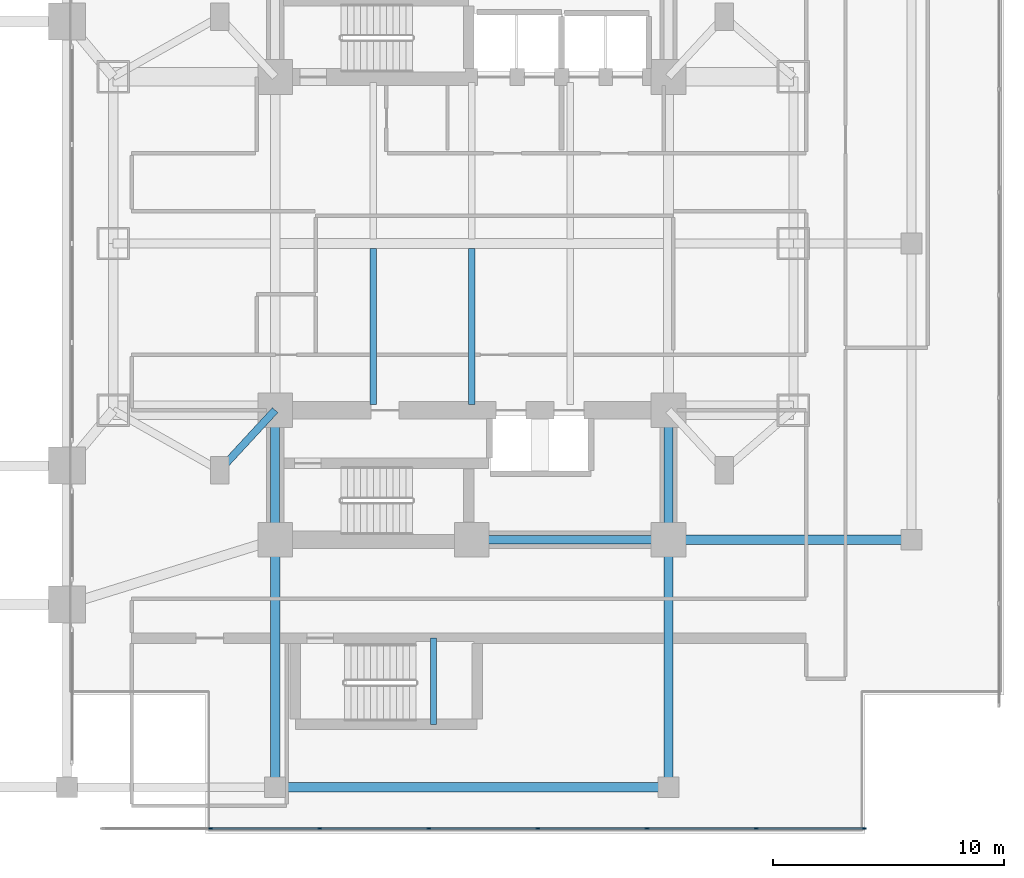
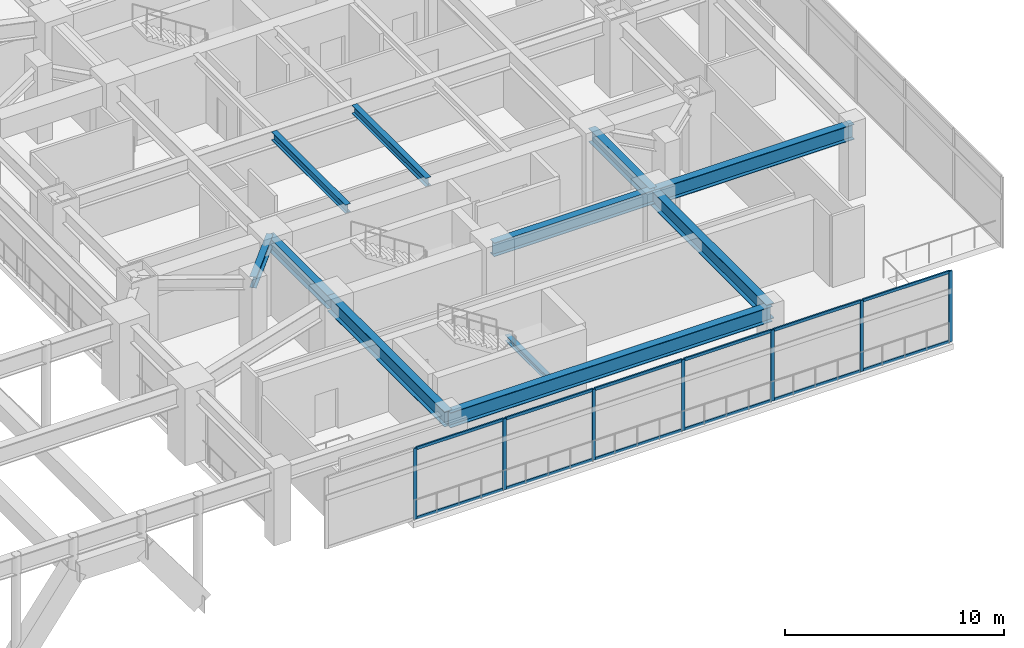
# One storey, part 9 of 30: 19 members, 11 beams, 1 element without a shape of its own.
"""IFC4 building model written with IfcOpenShell, lengths in metres."""

from ifc_helpers import new_model, si_unit, direction, frame, origin, origin_2d, place, context, subcontext, project, spatial, rectangle, i_section, extrude, material, material_profile, profile_set, type_object, element, aggregate, save


model = new_model("IFC4")

# Units and contexts
model_context = context("Model", 3, precision=1e-05, world=origin(), true_north=direction((0.0, 1.0)))
body_context = subcontext(model_context, "Body", "Model", "MODEL_VIEW")
ifc_project = project(units=[si_unit("LENGTHUNIT", "METRE"), si_unit("AREAUNIT", "SQUARE_METRE"), si_unit("VOLUMEUNIT", "CUBIC_METRE"), si_unit("PLANEANGLEUNIT", "RADIAN"), si_unit("MASSUNIT", "GRAM", prefix="KILO")], contexts=[model_context])

# Site, building, storey
site_placement = place(None, origin())
site = spatial("IfcSite", under=ifc_project, at=site_placement, CompositionType="ELEMENT")
building_placement = place(site_placement, origin())
building = spatial("IfcBuilding", under=site, at=building_placement, Name="Mirazonda Arch Towers", CompositionType="ELEMENT")
storey_placement = place(building_placement, frame((0.0, 0.0, 9.5)))
storey = spatial("IfcBuildingStorey", under=building, at=storey_placement, Name="L02", CompositionType="ELEMENT", Elevation=9.5)

# Beams
ifc_material_1 = material(Name="Steel ASTM A992 Grade 50", Category="steel")
ifc_material_profile_1 = material_profile(ifc_material_1, i_section(OverallWidth=0.39990234375, OverallDepth=0.85595703125, WebThickness=0.018310546875, FlangeThickness=0.029296875, at=origin_2d()), Name="W33X201")
ifc_profile_set_1 = profile_set([ifc_material_profile_1], Name="Steel ASTM A992 Grade 50")
beam_type_1 = type_object("IfcBeamType", Name="BM-EXT-W33X201", PredefinedType="USERDEFINED", material=ifc_profile_set_1)
beam_1_placement = place(storey_placement, frame((68.0, 4.5, 3.552001953125), z_axis=(1.0, 0.0, 0.0), x_axis=(0.0, 1.0, 0.0)))
element("IfcBeam", 1, at=beam_1_placement, inside=storey, type_object=beam_type_1, Name="L02 Floor Beam BM-POD-L02-PS-5", ObjectType="GIRDER", PredefinedType="USERDEFINED", context=body_context, shape_type="SweptSolid", body=[
    extrude(i_section(OverallWidth=0.39990234375, OverallDepth=0.85595703125, WebThickness=0.018310546875, FlangeThickness=0.029296875, at=origin_2d()), origin(), (0.0, 0.0, 1.0), 17.0),
])
ifc_material_profile_2 = material_profile(ifc_material_1, i_section(OverallWidth=0.257080078125, OverallDepth=0.330078125, WebThickness=0.011962890625, FlangeThickness=0.01953125, at=origin_2d()), Name="W10X68")
ifc_profile_set_2 = profile_set([ifc_material_profile_2], Name="Steel ASTM A992 Grade 50")
beam_type_2 = type_object("IfcBeamType", Name="BM-INT-W10X68", PredefinedType="BEAM", material=ifc_profile_set_2)
beam_2_placement = place(storey_placement, frame((74.85009765625, 7.219970703125, 1.784912109375), z_axis=(0.0, 1.0, 0.0), x_axis=(-1.0, 0.0, 0.0)))
element("IfcBeam", 2, at=beam_2_placement, inside=storey, type_object=beam_type_2, Name="L02 ST-POD2 Landing Trimmer Beam", PredefinedType="BEAM", context=body_context, shape_type="SweptSolid", body=[
    extrude(i_section(OverallWidth=0.257080078125, OverallDepth=0.330078125, WebThickness=0.011962890625, FlangeThickness=0.01953125, at=origin_2d()), origin(), (0.0, 0.0, 1.0), 3.72998046875),
])
ifc_material_profile_3 = material_profile(ifc_material_1, i_section(OverallWidth=0.280029296875, OverallDepth=0.462890625, WebThickness=0.0107421875, FlangeThickness=0.017333984375, at=origin_2d()), Name="W18X76")
ifc_profile_set_3 = profile_set([ifc_material_profile_3], Name="Steel ASTM A992 Grade 50")
beam_type_3 = type_object("IfcBeamType", Name="BM-INT-W18X76", PredefinedType="JOIST", material=ifc_profile_set_3)
for number, where, z_axis, x_axis, name in (
    (3, (72.25, 21.0400390625, 3.74853515625), (0.0, 1.0, 0.0), (-1.0, 0.0, 0.0), "L02 Floor Beam BM-T2-L02-J-722-20"),
    (4, (76.5, 21.0400390625, 3.74853515625), (0.0, 1.0, 0.0), (-1.0, 0.0, 0.0), "L02 Floor Beam BM-T2-L02-J-765-20"),
):
    element("IfcBeam", number, at=place(storey_placement, frame(where, z_axis=z_axis, x_axis=x_axis)), inside=storey, type_object=beam_type_3, Name=name, PredefinedType="JOIST", context=body_context, shape_type="SweptSolid", body=[
        extrude(i_section(OverallWidth=0.280029296875, OverallDepth=0.462890625, WebThickness=0.0107421875, FlangeThickness=0.017333984375, at=origin_2d()), origin(), (0.0, 0.0, 1.0), 6.7548828125),
    ])
ifc_material_profile_4 = material_profile(ifc_material_1, i_section(OverallWidth=0.324951171875, OverallDepth=0.615966796875, WebThickness=0.013916015625, FlangeThickness=0.021484375, at=origin_2d()), Name="W24X117")
ifc_profile_set_4 = profile_set([ifc_material_profile_4], Name="Steel ASTM A992 Grade 50")
beam_type_4 = type_object("IfcBeamType", Name="BM-INT-W24X117", PredefinedType="BEAM", material=ifc_profile_set_4)
beam_3_placement = place(storey_placement, frame((65.60009765625, 18.199951171875, 3.672119140625), z_axis=(0.678251444854, 0.734829897019, 0.0), x_axis=(-0.734829897019, 0.678251444854, 0.0)))
element("IfcBeam", 5, at=beam_3_placement, inside=storey, type_object=beam_type_4, Name="L02 Floor Beam BM-T2-L02-PL-SW1", PredefinedType="BEAM", context=body_context, shape_type="SweptSolid", body=[
    extrude(i_section(OverallWidth=0.324951171875, OverallDepth=0.615966796875, WebThickness=0.013916015625, FlangeThickness=0.021484375, at=origin_2d()), origin(), (0.0, 0.0, 1.0), 3.538330078125),
])
ifc_material_profile_5 = material_profile(ifc_material_1, i_section(OverallWidth=0.381103515625, OverallDepth=0.77294921875, WebThickness=0.0166015625, FlangeThickness=0.027099609375, at=origin_2d()), Name="W30X173")
ifc_profile_set_5 = profile_set([ifc_material_profile_5], Name="Steel ASTM A992 Grade 50")
beam_type_5 = type_object("IfcBeamType", Name="BM-INT-W30X173", PredefinedType="USERDEFINED", material=ifc_profile_set_5)
beam_4_placement = place(storey_placement, frame((76.5, 15.199951171875, 3.593505859375), z_axis=(1.0, 0.0, 0.0), x_axis=(0.0, 1.0, 0.0)))
element("IfcBeam", 6, at=beam_4_placement, inside=storey, type_object=beam_type_5, Name="L02 Floor Beam BM-T2-L02-CS2", ObjectType="GIRDER", PredefinedType="USERDEFINED", context=body_context, shape_type="SweptSolid", body=[
    extrude(i_section(OverallWidth=0.381103515625, OverallDepth=0.77294921875, WebThickness=0.0166015625, FlangeThickness=0.027099609375, at=origin_2d()), origin(), (0.0, 0.0, 1.0), 8.5),
])
for number, where, z_axis, x_axis, name in (
    (7, (68.0, 15.199951171875, 3.593505859375), (0.0, 1.0, 0.0), (-1.0, 0.0, 0.0), "L02 Floor Beam BM-T2-L02-CSW"),
    (8, (85.0, 15.199951171875, 3.593505859375), (0.0, 1.0, 0.0), (-1.0, 0.0, 0.0), "L02 Floor Beam BM-T2-L02-CSE"),
):
    element("IfcBeam", number, at=place(storey_placement, frame(where, z_axis=z_axis, x_axis=x_axis)), inside=storey, type_object=beam_type_5, Name=name, ObjectType="GIRDER", PredefinedType="USERDEFINED", context=body_context, shape_type="SweptSolid", body=[
        extrude(i_section(OverallWidth=0.381103515625, OverallDepth=0.77294921875, WebThickness=0.0166015625, FlangeThickness=0.027099609375, at=origin_2d()), origin(), (0.0, 0.0, 1.0), 5.60009765625),
    ])
ifc_material_profile_6 = material_profile(ifc_material_1, i_section(OverallWidth=0.39990234375, OverallDepth=0.85595703125, WebThickness=0.018310546875, FlangeThickness=0.029296875, at=origin_2d()), Name="W33X201")
ifc_profile_set_6 = profile_set([ifc_material_profile_6], Name="Steel ASTM A992 Grade 50")
beam_type_6 = type_object("IfcBeamType", Name="BM-INT-W33X201", PredefinedType="USERDEFINED", material=ifc_profile_set_6)
for number, where, z_axis, x_axis, name in (
    (9, (68.0, 4.5, 3.552001953125), (0.0, 1.0, 0.0), (-1.0, 0.0, 0.0), "L02 Floor Beam BM-POD-L02-PCS-6"),
    (10, (85.0, 4.5, 3.552001953125), (0.0, 1.0, 0.0), (-1.0, 0.0, 0.0), "L02 Floor Beam BM-POD-L02-PCS-7"),
):
    element("IfcBeam", number, at=place(storey_placement, frame(where, z_axis=z_axis, x_axis=x_axis)), inside=storey, type_object=beam_type_6, Name=name, ObjectType="GIRDER", PredefinedType="USERDEFINED", context=body_context, shape_type="SweptSolid", body=[
        extrude(i_section(OverallWidth=0.39990234375, OverallDepth=0.85595703125, WebThickness=0.018310546875, FlangeThickness=0.029296875, at=origin_2d()), origin(), (0.0, 0.0, 1.0), 10.699951171875),
    ])
beam_5_placement = place(storey_placement, frame((85.0, 15.199951171875, 3.552001953125), z_axis=(1.0, 0.0, 0.0), x_axis=(0.0, 1.0, 0.0)))
element("IfcBeam", 11, at=beam_5_placement, inside=storey, type_object=beam_type_6, Name="L02 Floor Beam BM-POD-L02-PCE-1", ObjectType="GIRDER", PredefinedType="USERDEFINED", context=body_context, shape_type="SweptSolid", body=[
    extrude(i_section(OverallWidth=0.39990234375, OverallDepth=0.85595703125, WebThickness=0.018310546875, FlangeThickness=0.029296875, at=origin_2d()), origin(), (0.0, 0.0, 1.0), 10.5),
])

# Curtain wall, members
ifc_material_2 = material(Name="Anodised Aluminium and Low-E Glass", Category="aluminium")
curtain_wall_type = type_object("IfcCurtainWallType", Name="CW-POD-STORE", PredefinedType="NOTDEFINED", material=ifc_material_2)
curtain_wall_placement = place(storey_placement, origin())
curtain_wall = element("IfcCurtainWall", 12, at=curtain_wall_placement, inside=storey, type_object=curtain_wall_type, Name="L02 Curtain Wall CW-L02-ES", PredefinedType="NOTDEFINED")
ifc_material_3 = material(Name="Anodised Aluminium Alloy", Category="aluminium")
ifc_material_profile_7 = material_profile(ifc_material_3, rectangle(XDim=0.080078125, YDim=0.179931640625, at=origin_2d()), Name="ALU-MULL-80x180")
ifc_profile_set_7 = profile_set([ifc_material_profile_7], Name="Anodised Aluminium Alloy")
member_type_1 = type_object("IfcMemberType", Name="MULL-CW-POD-STORE", PredefinedType="MULLION", material=ifc_profile_set_7)
member_1_placement = place(storey_placement, frame((93.4599609375, 2.719970703125, 0.0), z_axis=(0.0, 0.0, 1.0), x_axis=(0.0, -1.0, 0.0)))
member_1 = element("IfcMember", 13, at=member_1_placement, type_object=member_type_1, Name="CW-102 mullion 1", PredefinedType="MULLION", context=body_context, shape_type="SweptSolid", body=[
    extrude(rectangle(XDim=0.080078125, YDim=0.179931640625, at=origin_2d()), origin(), (0.0, 0.0, 1.0), 3.9599609375),
])
member_2_placement = place(storey_placement, frame((88.78564453125, 2.719970703125, 0.0), z_axis=(0.0, 0.0, 1.0), x_axis=(0.0, -1.0, 0.0)))
member_2 = element("IfcMember", 14, at=member_2_placement, type_object=member_type_1, Name="CW-102 mullion 2", PredefinedType="MULLION", context=body_context, shape_type="SweptSolid", body=[
    extrude(rectangle(XDim=0.080078125, YDim=0.179931640625, at=origin_2d()), origin(), (0.0, 0.0, 1.0), 3.9599609375),
])
member_3_placement = place(storey_placement, frame((84.071533203125, 2.719970703125, 0.0), z_axis=(0.0, 0.0, 1.0), x_axis=(0.0, -1.0, 0.0)))
member_3 = element("IfcMember", 15, at=member_3_placement, type_object=member_type_1, Name="CW-102 mullion 3", PredefinedType="MULLION", context=body_context, shape_type="SweptSolid", body=[
    extrude(rectangle(XDim=0.080078125, YDim=0.179931640625, at=origin_2d()), origin(), (0.0, 0.0, 1.0), 3.9599609375),
])
member_4_placement = place(storey_placement, frame((79.357177734375, 2.719970703125, 0.0), z_axis=(0.0, 0.0, 1.0), x_axis=(0.0, -1.0, 0.0)))
member_4 = element("IfcMember", 16, at=member_4_placement, type_object=member_type_1, Name="CW-102 mullion 4", PredefinedType="MULLION", context=body_context, shape_type="SweptSolid", body=[
    extrude(rectangle(XDim=0.080078125, YDim=0.179931640625, at=origin_2d()), origin(), (0.0, 0.0, 1.0), 3.9599609375),
])
member_5_placement = place(storey_placement, frame((74.642822265625, 2.719970703125, 0.0), z_axis=(0.0, 0.0, 1.0), x_axis=(0.0, -1.0, 0.0)))
member_5 = element("IfcMember", 17, at=member_5_placement, type_object=member_type_1, Name="CW-102 mullion 5", PredefinedType="MULLION", context=body_context, shape_type="SweptSolid", body=[
    extrude(rectangle(XDim=0.080078125, YDim=0.179931640625, at=origin_2d()), origin(), (0.0, 0.0, 1.0), 3.9599609375),
])
member_6_placement = place(storey_placement, frame((69.928466796875, 2.719970703125, 0.0), z_axis=(0.0, 0.0, 1.0), x_axis=(0.0, -1.0, 0.0)))
member_6 = element("IfcMember", 18, at=member_6_placement, type_object=member_type_1, Name="CW-102 mullion 6", PredefinedType="MULLION", context=body_context, shape_type="SweptSolid", body=[
    extrude(rectangle(XDim=0.080078125, YDim=0.179931640625, at=origin_2d()), origin(), (0.0, 0.0, 1.0), 3.9599609375),
])
member_7_placement = place(storey_placement, frame((65.21435546875, 2.719970703125, 0.0), z_axis=(0.0, 0.0, 1.0), x_axis=(0.0, -1.0, 0.0)))
member_7 = element("IfcMember", 19, at=member_7_placement, type_object=member_type_1, Name="CW-102 mullion 7", PredefinedType="MULLION", context=body_context, shape_type="SweptSolid", body=[
    extrude(rectangle(XDim=0.080078125, YDim=0.179931640625, at=origin_2d()), origin(), (0.0, 0.0, 1.0), 3.9599609375),
])
ifc_material_profile_8 = material_profile(ifc_material_3, rectangle(XDim=0.080078125, YDim=0.159912109375, at=origin_2d()), Name="ALU-TRAN-80x160")
ifc_profile_set_8 = profile_set([ifc_material_profile_8], Name="Anodised Aluminium Alloy")
member_type_2 = type_object("IfcMemberType", Name="TRAN-CW-POD-STORE", PredefinedType="USERDEFINED", material=ifc_profile_set_8)
member_8_placement = place(storey_placement, frame((93.419921875, 2.719970703125, 0.0400390625), z_axis=(-1.0, 0.0, 0.0), x_axis=(0.0, -1.0, 0.0)))
member_8 = element("IfcMember", 20, at=member_8_placement, type_object=member_type_2, Name="CW-102 transom 1.1", ObjectType="TRANSOM", PredefinedType="USERDEFINED", context=body_context, shape_type="SweptSolid", body=[
    extrude(rectangle(XDim=0.080078125, YDim=0.159912109375, at=origin_2d()), origin(), (0.0, 0.0, 1.0), 4.59423828125),
])
member_9_placement = place(storey_placement, frame((93.419921875, 2.719970703125, 3.919921875), z_axis=(-1.0, 0.0, 0.0), x_axis=(0.0, -1.0, 0.0)))
member_9 = element("IfcMember", 21, at=member_9_placement, type_object=member_type_2, Name="CW-102 transom 1.2", ObjectType="TRANSOM", PredefinedType="USERDEFINED", context=body_context, shape_type="SweptSolid", body=[
    extrude(rectangle(XDim=0.080078125, YDim=0.159912109375, at=origin_2d()), origin(), (0.0, 0.0, 1.0), 4.59423828125),
])
member_10_placement = place(storey_placement, frame((88.74560546875, 2.719970703125, 0.0400390625), z_axis=(-1.0, 0.0, 0.0), x_axis=(0.0, -1.0, 0.0)))
member_10 = element("IfcMember", 22, at=member_10_placement, type_object=member_type_2, Name="CW-102 transom 2.1", ObjectType="TRANSOM", PredefinedType="USERDEFINED", context=body_context, shape_type="SweptSolid", body=[
    extrude(rectangle(XDim=0.080078125, YDim=0.159912109375, at=origin_2d()), origin(), (0.0, 0.0, 1.0), 4.63427734375),
])
member_11_placement = place(storey_placement, frame((88.74560546875, 2.719970703125, 3.919921875), z_axis=(-1.0, 0.0, 0.0), x_axis=(0.0, -1.0, 0.0)))
member_11 = element("IfcMember", 23, at=member_11_placement, type_object=member_type_2, Name="CW-102 transom 2.2", ObjectType="TRANSOM", PredefinedType="USERDEFINED", context=body_context, shape_type="SweptSolid", body=[
    extrude(rectangle(XDim=0.080078125, YDim=0.159912109375, at=origin_2d()), origin(), (0.0, 0.0, 1.0), 4.63427734375),
])
member_12_placement = place(storey_placement, frame((84.031494140625, 2.719970703125, 0.0400390625), z_axis=(-1.0, 0.0, 0.0), x_axis=(0.0, -1.0, 0.0)))
member_12 = element("IfcMember", 24, at=member_12_placement, type_object=member_type_2, Name="CW-102 transom 3.1", ObjectType="TRANSOM", PredefinedType="USERDEFINED", context=body_context, shape_type="SweptSolid", body=[
    extrude(rectangle(XDim=0.080078125, YDim=0.159912109375, at=origin_2d()), origin(), (0.0, 0.0, 1.0), 4.63427734375),
])
member_13_placement = place(storey_placement, frame((84.031494140625, 2.719970703125, 3.919921875), z_axis=(-1.0, 0.0, 0.0), x_axis=(0.0, -1.0, 0.0)))
member_13 = element("IfcMember", 25, at=member_13_placement, type_object=member_type_2, Name="CW-102 transom 3.2", ObjectType="TRANSOM", PredefinedType="USERDEFINED", context=body_context, shape_type="SweptSolid", body=[
    extrude(rectangle(XDim=0.080078125, YDim=0.159912109375, at=origin_2d()), origin(), (0.0, 0.0, 1.0), 4.63427734375),
])
member_14_placement = place(storey_placement, frame((79.317138671875, 2.719970703125, 0.0400390625), z_axis=(-1.0, 0.0, 0.0), x_axis=(0.0, -1.0, 0.0)))
member_14 = element("IfcMember", 26, at=member_14_placement, type_object=member_type_2, Name="CW-102 transom 4.1", ObjectType="TRANSOM", PredefinedType="USERDEFINED", context=body_context, shape_type="SweptSolid", body=[
    extrude(rectangle(XDim=0.080078125, YDim=0.159912109375, at=origin_2d()), origin(), (0.0, 0.0, 1.0), 4.63427734375),
])
member_15_placement = place(storey_placement, frame((79.317138671875, 2.719970703125, 3.919921875), z_axis=(-1.0, 0.0, 0.0), x_axis=(0.0, -1.0, 0.0)))
member_15 = element("IfcMember", 27, at=member_15_placement, type_object=member_type_2, Name="CW-102 transom 4.2", ObjectType="TRANSOM", PredefinedType="USERDEFINED", context=body_context, shape_type="SweptSolid", body=[
    extrude(rectangle(XDim=0.080078125, YDim=0.159912109375, at=origin_2d()), origin(), (0.0, 0.0, 1.0), 4.63427734375),
])
member_16_placement = place(storey_placement, frame((74.602783203125, 2.719970703125, 0.0400390625), z_axis=(-1.0, 0.0, 0.0), x_axis=(0.0, -1.0, 0.0)))
member_16 = element("IfcMember", 28, at=member_16_placement, type_object=member_type_2, Name="CW-102 transom 5.1", ObjectType="TRANSOM", PredefinedType="USERDEFINED", context=body_context, shape_type="SweptSolid", body=[
    extrude(rectangle(XDim=0.080078125, YDim=0.159912109375, at=origin_2d()), origin(), (0.0, 0.0, 1.0), 4.63427734375),
])
member_17_placement = place(storey_placement, frame((74.602783203125, 2.719970703125, 3.919921875), z_axis=(-1.0, 0.0, 0.0), x_axis=(0.0, -1.0, 0.0)))
member_17 = element("IfcMember", 29, at=member_17_placement, type_object=member_type_2, Name="CW-102 transom 5.2", ObjectType="TRANSOM", PredefinedType="USERDEFINED", context=body_context, shape_type="SweptSolid", body=[
    extrude(rectangle(XDim=0.080078125, YDim=0.159912109375, at=origin_2d()), origin(), (0.0, 0.0, 1.0), 4.63427734375),
])
member_18_placement = place(storey_placement, frame((69.888671875, 2.719970703125, 0.0400390625), z_axis=(-1.0, 0.0, 0.0), x_axis=(0.0, -1.0, 0.0)))
member_18 = element("IfcMember", 30, at=member_18_placement, type_object=member_type_2, Name="CW-102 transom 6.1", ObjectType="TRANSOM", PredefinedType="USERDEFINED", context=body_context, shape_type="SweptSolid", body=[
    extrude(rectangle(XDim=0.080078125, YDim=0.159912109375, at=origin_2d()), origin(), (0.0, 0.0, 1.0), 4.63427734375),
])
member_19_placement = place(storey_placement, frame((69.888671875, 2.719970703125, 3.919921875), z_axis=(-1.0, 0.0, 0.0), x_axis=(0.0, -1.0, 0.0)))
member_19 = element("IfcMember", 31, at=member_19_placement, type_object=member_type_2, Name="CW-102 transom 6.2", ObjectType="TRANSOM", PredefinedType="USERDEFINED", context=body_context, shape_type="SweptSolid", body=[
    extrude(rectangle(XDim=0.080078125, YDim=0.159912109375, at=origin_2d()), origin(), (0.0, 0.0, 1.0), 4.63427734375),
])
aggregate(curtain_wall, [member_1, member_2, member_3, member_4, member_5, member_6, member_7, member_8, member_9, member_10, member_11, member_12, member_13, member_14, member_15, member_16, member_17, member_18, member_19])

save(model, "model.ifc")
